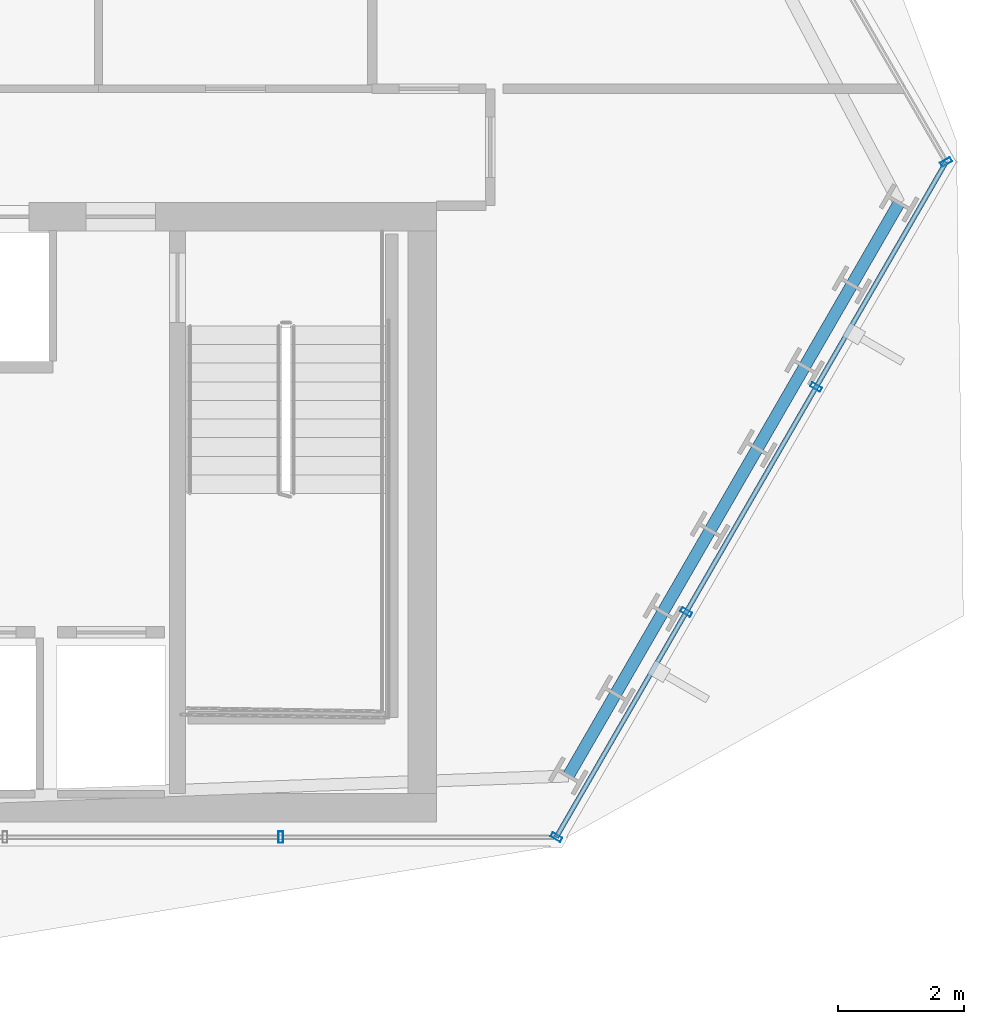
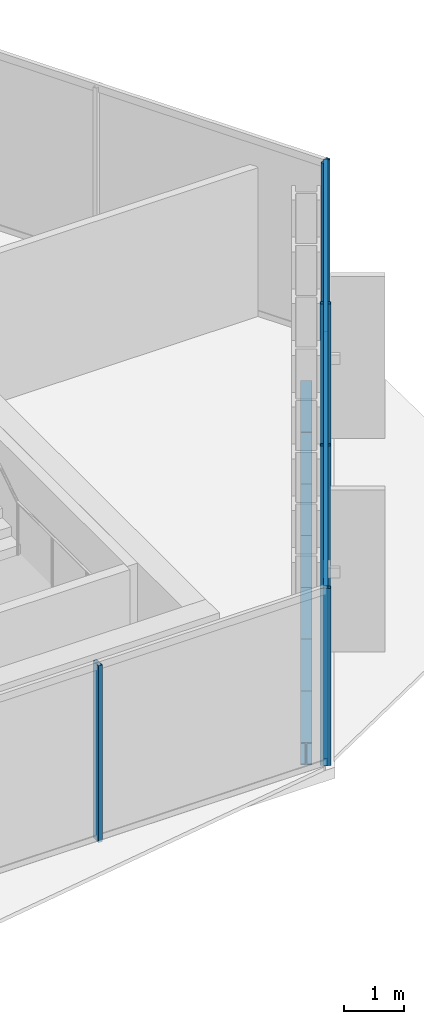
# One storey, part 18 of 36: 7 beams, 7 members, 3 elements without a shape of their own.
"""IFC4 building model written with IfcOpenShell, lengths in metres."""

from ifc_helpers import new_model, si_unit, direction, frame, origin, origin_2d, place, context, subcontext, project, spatial, hollow_rectangle, i_section, extrude, material, layer, layer_set, material_profile, profile_set, type_object, element, aggregate, save


model = new_model("IFC4")

# Units and contexts
model_context = context("Model", 3, precision=1e-05, world=origin(), true_north=direction((0.0, 1.0)))
body_context = subcontext(model_context, "Body", "Model", "MODEL_VIEW")
ifc_project = project(units=[si_unit("LENGTHUNIT", "METRE"), si_unit("AREAUNIT", "SQUARE_METRE"), si_unit("VOLUMEUNIT", "CUBIC_METRE"), si_unit("PLANEANGLEUNIT", "RADIAN"), si_unit("MASSUNIT", "GRAM", prefix="KILO")], contexts=[model_context])

# Site, building, storey
site_placement = place(None, origin())
site = spatial("IfcSite", under=ifc_project, at=site_placement, CompositionType="ELEMENT")
building_placement = place(site_placement, origin())
building = spatial("IfcBuilding", under=site, at=building_placement, Name="Ndaravel Arena Tower", CompositionType="ELEMENT")
storey_placement = place(building_placement, frame((0.0, 0.0, 127.0)))
storey = spatial("IfcBuildingStorey", under=building, at=storey_placement, Name="L29", CompositionType="ELEMENT", Elevation=127.0)

# Beams
ifc_material_1 = material(Name="Steel S355", Category="steel")
ifc_material_profile_1 = material_profile(ifc_material_1, i_section(OverallWidth=0.18994140625, OverallDepth=0.449951171875, WebThickness=0.009521484375, FlangeThickness=0.0146484375, FilletRadius=0.02099609375, at=origin_2d()), Name="IPE 450")
ifc_profile_set_1 = profile_set([ifc_material_profile_1], Name="Steel S355")
beam_type = type_object("IfcBeamType", Name="BM-SPAN-IPE450", PredefinedType="SPANDREL", material=ifc_profile_set_1)
for number, where, z_axis, x_axis, name in (
    (1, (59.6337890625, 6.127685546875, -0.445068359375), (0.500089897431, 0.865973495257, 0.0), (-0.865973495257, 0.500089897431, 0.0), "L29 Perimeter Spandrel Beam SP-02"),
    (2, (60.381591796875, 7.422607421875, -0.445068359375), (0.499896754619, 0.866085004328, 0.0), (-0.866085004328, 0.499896754619, 0.0), "L29 Perimeter Spandrel Beam SP-03"),
):
    element("IfcBeam", number, at=place(storey_placement, frame(where, z_axis=z_axis, x_axis=x_axis)), inside=storey, type_object=beam_type, Name=name, PredefinedType="SPANDREL", context=body_context, shape_type="SweptSolid", body=[
        extrude(i_section(OverallWidth=0.18994140625, OverallDepth=0.449951171875, WebThickness=0.009521484375, FlangeThickness=0.0146484375, FilletRadius=0.02099609375, at=origin_2d()), origin(), (0.0, 0.0, 1.0), 1.495361328125),
    ])
for number, where, z_axis, x_axis, name in (
    (3, (61.129150390625, 8.7177734375, -0.445068359375), (0.500019200167, 0.866014318279, 0.0), (-0.866014318279, 0.500019200167, 0.0), "L29 Perimeter Spandrel Beam SP-04"),
    (4, (61.876953125, 10.012939453125, -0.445068359375), (0.500019200167, 0.866014318279, 0.0), (-0.866014318279, 0.500019200167, 0.0), "L29 Perimeter Spandrel Beam SP-05"),
    (5, (62.624755859375, 11.30810546875, -0.445068359375), (0.500019200167, 0.866014318279, 0.0), (-0.866014318279, 0.500019200167, 0.0), "L29 Perimeter Spandrel Beam SP-06"),
):
    element("IfcBeam", number, at=place(storey_placement, frame(where, z_axis=z_axis, x_axis=x_axis)), inside=storey, type_object=beam_type, Name=name, PredefinedType="SPANDREL", context=body_context, shape_type="SweptSolid", body=[
        extrude(i_section(OverallWidth=0.18994140625, OverallDepth=0.449951171875, WebThickness=0.009521484375, FlangeThickness=0.0146484375, FilletRadius=0.02099609375, at=origin_2d()), origin(), (0.0, 0.0, 1.0), 1.49560546875),
    ])
beam_1_placement = place(storey_placement, frame((63.37255859375, 12.603271484375, -0.445068359375), z_axis=(0.499896754619, 0.866085004328, 0.0), x_axis=(-0.866085004328, 0.499896754619, 0.0)))
element("IfcBeam", 6, at=beam_1_placement, inside=storey, type_object=beam_type, Name="L29 Perimeter Spandrel Beam SP-07", PredefinedType="SPANDREL", context=body_context, shape_type="SweptSolid", body=[
    extrude(i_section(OverallWidth=0.18994140625, OverallDepth=0.449951171875, WebThickness=0.009521484375, FlangeThickness=0.0146484375, FilletRadius=0.02099609375, at=origin_2d()), origin(), (0.0, 0.0, 1.0), 1.495361328125),
])
beam_2_placement = place(storey_placement, frame((64.1201171875, 13.8984375, -0.445068359375), z_axis=(0.500019200167, 0.866014318279, 0.0), x_axis=(-0.866014318279, 0.500019200167, 0.0)))
element("IfcBeam", 7, at=beam_2_placement, inside=storey, type_object=beam_type, Name="L29 Perimeter Spandrel Beam SP-08", PredefinedType="SPANDREL", context=body_context, shape_type="SweptSolid", body=[
    extrude(i_section(OverallWidth=0.18994140625, OverallDepth=0.449951171875, WebThickness=0.009521484375, FlangeThickness=0.0146484375, FilletRadius=0.02099609375, at=origin_2d()), origin(), (0.0, 0.0, 1.0), 1.49560546875),
])

# Curtain wall, member
ifc_material_2 = material(Name="Aluminium", Category="aluminium")
ifc_layer_1 = layer(ifc_material_2, 0.179931640625)
ifc_layer_set_1 = layer_set([ifc_layer_1], Name="Aluminium")
curtain_wall_type_1 = type_object("IfcCurtainWallType", Name="CW-SYS-03", PredefinedType="NOTDEFINED", material=ifc_layer_set_1)
curtain_wall_1_placement = place(storey_placement, origin())
curtain_wall_1 = element("IfcCurtainWall", 8, at=curtain_wall_1_placement, inside=storey, type_object=curtain_wall_type_1, Name="L29 Faceted Crystal Curtain Wall CW-L29-E01", PredefinedType="NOTDEFINED")
ifc_material_3 = material(Name="Aluminium", Category="aluminium")
ifc_material_profile_2 = material_profile(ifc_material_3, hollow_rectangle(XDim=0.074951171875, YDim=0.179931640625, WallThickness=0.00390625, at=origin_2d()), Name="CW MULLION 75x180x4")
ifc_profile_set_2 = profile_set([ifc_material_profile_2], Name="Aluminium")
member_type_1 = type_object("IfcMemberType", Name="MEM-CW-MUL180", PredefinedType="MULLION", material=ifc_profile_set_2)
member_1_placement = place(storey_placement, frame((55.08349609375, 5.159912109375, 0.0), z_axis=(0.0, 0.0, 1.0), x_axis=(1.0, 0.0, 0.0)))
member_1 = element("IfcMember", 9, at=member_1_placement, type_object=member_type_1, Name="CW-L29-E01 Mullion 07", PredefinedType="MULLION", context=body_context, shape_type="SweptSolid", body=[
    extrude(hollow_rectangle(XDim=0.074951171875, YDim=0.179931640625, WallThickness=0.00390625, at=origin_2d()), origin(), (0.0, 0.0, 1.0), 3.580078125),
])
aggregate(curtain_wall_1, [member_1])

# Curtain wall, members
ifc_material_4 = material(Name="Aluminium", Category="aluminium")
ifc_layer_2 = layer(ifc_material_4, 0.179931640625)
ifc_layer_set_2 = layer_set([ifc_layer_2], Name="Aluminium")
curtain_wall_type_2 = type_object("IfcCurtainWallType", Name="CW-SYS-01", PredefinedType="NOTDEFINED", material=ifc_layer_set_2)
curtain_wall_2_placement = place(storey_placement, origin())
curtain_wall_2 = element("IfcCurtainWall", 10, at=curtain_wall_2_placement, inside=storey, type_object=curtain_wall_type_2, Name="L29 Faceted Crystal Curtain Wall CW-L29-E02", PredefinedType="NOTDEFINED")
member_2_placement = place(storey_placement, frame((59.444580078125, 5.159912109375, 0.0), z_axis=(0.0, 0.0, 1.0), x_axis=(0.5, 0.866025403784, 0.0)))
member_2 = element("IfcMember", 11, at=member_2_placement, type_object=member_type_1, Name="CW-L29-E02 Mullion 00", PredefinedType="MULLION", context=body_context, shape_type="SweptSolid", body=[
    extrude(hollow_rectangle(XDim=0.074951171875, YDim=0.179931640625, WallThickness=0.00390625, at=origin_2d()), origin(), (0.0, 0.0, 1.0), 3.580078125),
])
member_3_placement = place(storey_placement, frame((61.500244140625, 8.720458984375, 0.0), z_axis=(0.0, 0.0, 1.0), x_axis=(0.5, 0.866025403784, 0.0)))
member_3 = element("IfcMember", 12, at=member_3_placement, type_object=member_type_1, Name="CW-L29-E02 Mullion 01", PredefinedType="MULLION", context=body_context, shape_type="SweptSolid", body=[
    extrude(hollow_rectangle(XDim=0.074951171875, YDim=0.179931640625, WallThickness=0.00390625, at=origin_2d()), origin(), (0.0, 0.0, 1.0), 3.580078125),
])
member_4_placement = place(storey_placement, frame((63.5556640625, 12.28076171875, 0.0), z_axis=(0.0, 0.0, 1.0), x_axis=(0.5, 0.866025403784, 0.0)))
member_4 = element("IfcMember", 13, at=member_4_placement, type_object=member_type_1, Name="CW-L29-E02 Mullion 02", PredefinedType="MULLION", context=body_context, shape_type="SweptSolid", body=[
    extrude(hollow_rectangle(XDim=0.074951171875, YDim=0.179931640625, WallThickness=0.00390625, at=origin_2d()), origin(), (0.0, 0.0, 1.0), 3.580078125),
])

# Curtain wall, member
curtain_wall_3_placement = place(storey_placement, origin())
curtain_wall_3 = element("IfcCurtainWall", 14, at=curtain_wall_3_placement, inside=storey, type_object=curtain_wall_type_1, Name="L29 Faceted Crystal Curtain Wall CW-L29-E03", PredefinedType="NOTDEFINED")
member_5_placement = place(storey_placement, frame((65.611328125, 15.841064453125, 0.0), z_axis=(0.0, 0.0, 1.0), x_axis=(-0.5, 0.866025403784, 0.0)))
member_5 = element("IfcMember", 15, at=member_5_placement, type_object=member_type_1, Name="CW-L29-E03 Mullion 00", PredefinedType="MULLION", context=body_context, shape_type="SweptSolid", body=[
    extrude(hollow_rectangle(XDim=0.074951171875, YDim=0.179931640625, WallThickness=0.00390625, at=origin_2d()), origin(), (0.0, 0.0, 1.0), 3.580078125),
])
aggregate(curtain_wall_3, [member_5])

# Member
ifc_material_5 = material(Name="Aluminium", Category="aluminium")
ifc_material_profile_3 = material_profile(ifc_material_5, hollow_rectangle(XDim=0.074951171875, YDim=0.14990234375, WallThickness=0.00390625, at=origin_2d()), Name="CW TRANSOM 75x150x4")
ifc_profile_set_3 = profile_set([ifc_material_profile_3], Name="Aluminium")
member_type_2 = type_object("IfcMemberType", Name="MEM-CW-TRN150", PredefinedType="USERDEFINED", material=ifc_profile_set_3)
member_6_placement = place(storey_placement, frame((59.444580078125, 5.159912109375, 0.0400390625), z_axis=(0.499998897271, 0.866026040445, 0.0), x_axis=(-0.866026040445, 0.499998897271, 0.0)))
member_6 = element("IfcMember", 16, at=member_6_placement, type_object=member_type_2, Name="CW-L29-E02 Transom 01", ObjectType="TRANSOM", PredefinedType="USERDEFINED", context=body_context, shape_type="SweptSolid", body=[
    extrude(hollow_rectangle(XDim=0.074951171875, YDim=0.14990234375, WallThickness=0.00390625, at=origin_2d()), origin(), (0.0, 0.0, 1.0), 12.33349609375),
])

member_7_placement = place(storey_placement, frame((59.444580078125, 5.159912109375, 3.5400390625), z_axis=(0.499998897271, 0.866026040445, 0.0), x_axis=(-0.866026040445, 0.499998897271, 0.0)))
member_7 = element("IfcMember", 17, at=member_7_placement, type_object=member_type_2, Name="CW-L29-E02 Transom 02", ObjectType="TRANSOM", PredefinedType="USERDEFINED", context=body_context, shape_type="SweptSolid", body=[
    extrude(hollow_rectangle(XDim=0.074951171875, YDim=0.14990234375, WallThickness=0.00390625, at=origin_2d()), origin(), (0.0, 0.0, 1.0), 12.33349609375),
])

aggregate(curtain_wall_2, [member_2, member_3, member_4, member_6, member_7])

save(model, "model.ifc")
